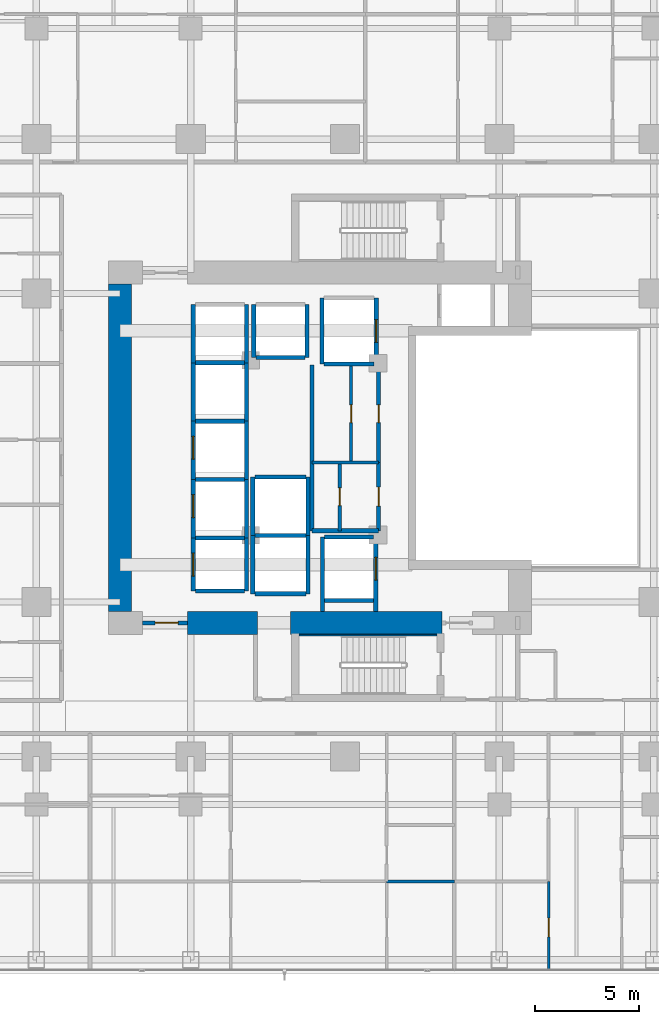
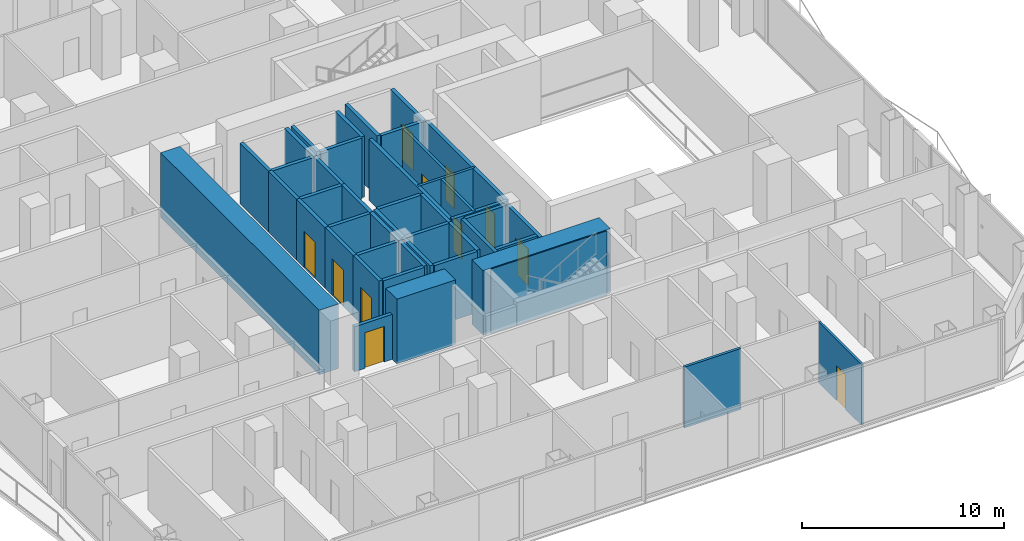
# One storey, part 21 of 30: 46 walls, 11 doors, 11 openings.
"""IFC4 building model written with IfcOpenShell, lengths in metres."""

from ifc_helpers import new_model, si_unit, direction, frame, frame_2d, origin, place, context, subcontext, project, spatial, rectangle, extrude, material, layer, layer_set, type_object, element, fill, save


model = new_model("IFC4")

# Units and contexts
model_context = context("Model", 3, precision=1e-05, world=origin(), true_north=direction((0.0, 1.0)))
body_context = subcontext(model_context, "Body", "Model", "MODEL_VIEW")
ifc_project = project(units=[si_unit("LENGTHUNIT", "METRE"), si_unit("AREAUNIT", "SQUARE_METRE"), si_unit("VOLUMEUNIT", "CUBIC_METRE"), si_unit("PLANEANGLEUNIT", "RADIAN"), si_unit("MASSUNIT", "GRAM", prefix="KILO")], contexts=[model_context])

# Site, building, storey
site_placement = place(None, origin())
site = spatial("IfcSite", under=ifc_project, at=site_placement, CompositionType="ELEMENT")
building_placement = place(site_placement, origin())
building = spatial("IfcBuilding", under=site, at=building_placement, Name="Khorvyn Point Tower", CompositionType="ELEMENT")
storey_placement = place(building_placement, frame((0.0, 0.0, 57.89990234375)))
storey = spatial("IfcBuildingStorey", under=building, at=storey_placement, Name="L15", CompositionType="ELEMENT", Elevation=57.89990234375)

# Wall, opening, door
ifc_material_1 = material(Name="Concrete C40/50", Category="concrete")
ifc_layer_1 = layer(ifc_material_1, 0.199951171875)
ifc_layer_set_1 = layer_set([ifc_layer_1], Name="Concrete C40/50 Fire-Lobby Compartment Wall 200")
wall_type_1 = type_object("IfcWallType", Name="Concrete C40/50 Fire-Lobby Compartment Wall 200", PredefinedType="SOLIDWALL", material=ifc_layer_set_1)
wall_1_placement = place(storey_placement, frame((-9.699951171875, -8.39990234375, 0.0), z_axis=(0.0, 0.0, 1.0), x_axis=(1.0, 0.0, 0.0)))
wall_1 = element("IfcWall", 1, at=wall_1_placement, inside=storey, type_object=wall_type_1, Name="Wall", PredefinedType="SOLIDWALL", context=body_context, shape_type="SweptSolid", body=[
    extrude(rectangle(XDim=2.14990234375, YDim=0.199951171875, at=frame_2d((1.074951171875, 0.0))), origin(), (0.0, 0.0, 1.0), 2.72021484375),
])
opening_1_placement = place(wall_1_placement, frame((0.597900390625, 0.0, 0.0)))
opening_1 = element("IfcOpeningElement", 2, at=opening_1_placement, cuts=wall_1, Name="Opening ID-FL90", PredefinedType="OPENING", context=body_context, shape_type="SweptSolid", body=[
    extrude(rectangle(XDim=1.10009765625, YDim=2.14990234375, at=frame_2d((0.550048828125, 1.074951171875))), frame((0.0, 0.10986328125, 0.0), z_axis=(0.0, -1.0, 0.0), x_axis=(1.0, 0.0, 0.0)), (0.0, 0.0, 1.0), 0.219970703125),
])
ifc_material_2 = material(Name="Galvanised powder-coated steel", Category="steel")
door_type_1 = type_object("IfcDoorType", Name="Fire-Rated Steel Lobby and Stair Door 1100x2150", OperationType="NOTDEFINED", PredefinedType="DOOR", material=ifc_material_2)
door_1_placement = place(opening_1_placement, origin())
door_1 = element("IfcDoor", 3, at=door_1_placement, inside=storey, type_object=door_type_1, Name="Door", OperationType="SINGLE_SWING_LEFT", OverallHeight=2.14990234375, OverallWidth=1.10009765625, PredefinedType="DOOR", context=body_context, shape_type="SweptSolid", body=[
    extrude(rectangle(XDim=1.10009765625, YDim=2.14990234375, at=frame_2d((0.550048828125, 1.074951171875))), frame((0.0, 0.02490234375, 0.0), z_axis=(0.0, -1.0, 0.0), x_axis=(1.0, 0.0, 0.0)), (0.0, 0.0, 1.0), 0.050048828125),
])
fill(opening_1, door_1)

wall_2_placement = place(storey_placement, frame((1.610107421875, -3.97998046875, 0.0), z_axis=(0.0, 0.0, 1.0), x_axis=(0.0, 1.0, 0.0)))
wall_2 = element("IfcWall", 4, at=wall_2_placement, inside=storey, type_object=wall_type_1, Name="Wall", PredefinedType="SOLIDWALL", context=body_context, shape_type="SweptSolid", body=[
    extrude(rectangle(XDim=3.27392578125, YDim=0.199951171875, at=frame_2d((1.636962890625, 0.0))), origin(), (0.0, 0.0, 1.0), 3.68017578125),
])
opening_2_placement = place(wall_2_placement, frame((1.177001953125, 0.0, 0.0)))
opening_2 = element("IfcOpeningElement", 5, at=opening_2_placement, cuts=wall_2, Name="Opening ID-RS60", PredefinedType="OPENING", context=body_context, shape_type="SweptSolid", body=[
    extrude(rectangle(XDim=0.919921875, YDim=2.10009765625, at=frame_2d((0.4599609375, 1.050048828125))), frame((0.0, 0.10986328125, 0.0), z_axis=(0.0, -1.0, 0.0), x_axis=(1.0, 0.0, 0.0)), (0.0, 0.0, 1.0), 0.219970703125),
])
door_type_2 = type_object("IfcDoorType", Name="Fire-Rated Riser and Store Steel Door 920x2100", OperationType="NOTDEFINED", PredefinedType="DOOR", material=ifc_material_2)
door_2_placement = place(opening_2_placement, origin())
door_2 = element("IfcDoor", 6, at=door_2_placement, inside=storey, type_object=door_type_2, Name="Door", OperationType="SINGLE_SWING_RIGHT", OverallHeight=2.10009765625, OverallWidth=0.919921875, PredefinedType="DOOR", context=body_context, shape_type="SweptSolid", body=[
    extrude(rectangle(XDim=0.919921875, YDim=2.10009765625, at=frame_2d((0.4599609375, 1.050048828125))), frame((0.0, 0.02490234375, 0.0), z_axis=(0.0, -1.0, 0.0), x_axis=(1.0, 0.0, 0.0)), (0.0, 0.0, 1.0), 0.050048828125),
])
fill(opening_2, door_2)

wall_3_placement = place(storey_placement, frame((1.610107421875, -0.7060546875, 0.0), z_axis=(0.0, 0.0, 1.0), x_axis=(0.0, 1.0, 0.0)))
wall_3 = element("IfcWall", 7, at=wall_3_placement, inside=storey, type_object=wall_type_1, Name="Wall", PredefinedType="SOLIDWALL", context=body_context, shape_type="SweptSolid", body=[
    extrude(rectangle(XDim=4.68603515625, YDim=0.199951171875, at=frame_2d((2.343017578125, 0.0))), origin(), (0.0, 0.0, 1.0), 3.68017578125),
])
opening_3_placement = place(wall_3_placement, frame((1.91796875, 0.0, 0.0)))
opening_3 = element("IfcOpeningElement", 8, at=opening_3_placement, cuts=wall_3, Name="Opening ID-WC85", PredefinedType="OPENING", context=body_context, shape_type="SweptSolid", body=[
    extrude(rectangle(XDim=0.85009765625, YDim=2.10009765625, at=frame_2d((0.425048828125, 1.050048828125))), frame((0.0, 0.10986328125, 0.0), z_axis=(0.0, -1.0, 0.0), x_axis=(1.0, 0.0, 0.0)), (0.0, 0.0, 1.0), 0.219970703125),
])
ifc_material_3 = material(Name="High-pressure laminate on moisture-resistant core", Category="wood")
door_type_3 = type_object("IfcDoorType", Name="Moisture-Resistant Accessible Washroom Door 850x2100", OperationType="NOTDEFINED", PredefinedType="DOOR", material=ifc_material_3)
door_3_placement = place(opening_3_placement, origin())
door_3 = element("IfcDoor", 9, at=door_3_placement, inside=storey, type_object=door_type_3, Name="Door", OperationType="SINGLE_SWING_LEFT", OverallHeight=2.10009765625, OverallWidth=0.85009765625, PredefinedType="DOOR", context=body_context, shape_type="SweptSolid", body=[
    extrude(rectangle(XDim=0.85009765625, YDim=2.10009765625, at=frame_2d((0.425048828125, 1.050048828125))), frame((0.0, 0.02490234375, 0.0), z_axis=(0.0, -1.0, 0.0), x_axis=(1.0, 0.0, 0.0)), (0.0, 0.0, 1.0), 0.050048828125),
])
fill(opening_3, door_3)

# Walls
wall_4_placement = place(storey_placement, frame((-1.580078125, -3.97998046875, 0.0), z_axis=(0.0, 0.0, 1.0), x_axis=(0.0, 1.0, 0.0)))
element("IfcWall", 10, at=wall_4_placement, inside=storey, type_object=wall_type_1, Name="Wall", PredefinedType="SOLIDWALL", context=body_context, shape_type="SweptSolid", body=[
    extrude(rectangle(XDim=7.9599609375, YDim=0.199951171875, at=frame_2d((3.97998046875, 0.0))), origin(), (0.0, 0.0, 1.0), 3.68017578125),
])
wall_5_placement = place(storey_placement, frame((-1.580078125, -3.97998046875, 0.0), z_axis=(0.0, 0.0, 1.0), x_axis=(1.0, 0.0, 0.0)))
element("IfcWall", 11, at=wall_5_placement, inside=storey, type_object=wall_type_1, Name="Wall", PredefinedType="SOLIDWALL", context=body_context, shape_type="SweptSolid", body=[
    extrude(rectangle(XDim=3.190185546875, YDim=0.199951171875, at=frame_2d((1.59521484375, 0.0))), origin(), (0.0, 0.0, 1.0), 3.68017578125),
])
ifc_layer_2 = layer(ifc_material_1, 0.25)
ifc_layer_set_2 = layer_set([ifc_layer_2], Name="Concrete C40/50 Stair Inner Cheek Structural Wall 250")
wall_type_2 = type_object("IfcWallType", Name="Concrete C40/50 Stair Inner Cheek Structural Wall 250", PredefinedType="SHEAR", material=ifc_layer_set_2)
wall_6_placement = place(storey_placement, frame((-2.199951171875, -8.987548828125, 0.0), z_axis=(0.0, 0.0, 1.0), x_axis=(1.0, 0.0, 0.0)))
element("IfcWall", 12, at=wall_6_placement, inside=storey, type_object=wall_type_2, Name="Wall", PredefinedType="SHEAR", context=body_context, shape_type="SweptSolid", body=[
    extrude(rectangle(XDim=6.599853515625, YDim=0.074951171875, at=frame_2d((3.2998046875, 0.0))), origin(), (0.0, 0.0, 1.0), 3.900146484375),
])

# Wall, opening, door
ifc_layer_3 = layer(ifc_material_1, 0.199951171875)
ifc_layer_set_3 = layer_set([ifc_layer_3], Name="Concrete C40/50 Structural Hoistway and Stair Shaft Wall 200")
wall_type_3 = type_object("IfcWallType", Name="Concrete C40/50 Structural Hoistway and Stair Shaft Wall 200", PredefinedType="SHEAR", material=ifc_layer_set_3)
wall_7_placement = place(storey_placement, frame((-7.27490234375, -6.875, 0.0), z_axis=(0.0, 0.0, 1.0), x_axis=(0.0, 1.0, 0.0)))
wall_7 = element("IfcWall", 13, at=wall_7_placement, inside=storey, type_object=wall_type_3, Name="Wall", PredefinedType="SHEAR", context=body_context, shape_type="SweptSolid", body=[
    extrude(rectangle(XDim=2.550048828125, YDim=0.199951171875, at=frame_2d((1.27490234375, 0.0))), origin(), (0.0, 0.0, 1.0), 3.68017578125),
])
opening_4_placement = place(wall_7_placement, frame((0.72509765625, 0.0, 0.0)))
opening_4 = element("IfcOpeningElement", 14, at=opening_4_placement, cuts=wall_7, Name="Opening LD-1122", PredefinedType="OPENING", context=body_context, shape_type="SweptSolid", body=[
    extrude(rectangle(XDim=1.10009765625, YDim=2.199951171875, at=frame_2d((0.550048828125, 1.10009765625))), frame((0.0, 0.10986328125, 0.0), z_axis=(0.0, -1.0, 0.0), x_axis=(1.0, 0.0, 0.0)), (0.0, 0.0, 1.0), 0.219970703125),
])
ifc_material_4 = material(Name="Stainless steel 1.4301", Category="steel")
door_type_4 = type_object("IfcDoorType", Name="Stainless Steel Automatic Sliding Lift Landing Door 1100x2200", OperationType="SLIDING_TO_LEFT", PredefinedType="DOOR", material=ifc_material_4)
door_4_placement = place(opening_4_placement, origin())
door_4 = element("IfcDoor", 15, at=door_4_placement, inside=storey, type_object=door_type_4, Name="L15 RL-01 Sliding Lift Landing Door", OperationType="SLIDING_TO_LEFT", OverallHeight=2.199951171875, OverallWidth=1.10009765625, PredefinedType="DOOR", context=body_context, shape_type="SweptSolid", body=[
    extrude(rectangle(XDim=1.10009765625, YDim=2.199951171875, at=frame_2d((0.550048828125, 1.10009765625))), frame((0.0, 0.02490234375, 0.0), z_axis=(0.0, -1.0, 0.0), x_axis=(1.0, 0.0, 0.0)), (0.0, 0.0, 1.0), 0.050048828125),
])
fill(opening_4, door_4)

# Walls
wall_8_placement = place(storey_placement, frame((-4.72509765625, -6.875, 0.0), z_axis=(0.0, 0.0, 1.0), x_axis=(0.0, 1.0, 0.0)))
element("IfcWall", 16, at=wall_8_placement, inside=storey, type_object=wall_type_3, Name="Wall", PredefinedType="SHEAR", context=body_context, shape_type="SweptSolid", body=[
    extrude(rectangle(XDim=2.550048828125, YDim=0.199951171875, at=frame_2d((1.27490234375, 0.0))), origin(), (0.0, 0.0, 1.0), 3.68017578125),
])
for number, where, z_axis, x_axis, name in (
    (17, (-7.175048828125, -6.875, 0.0), (0.0, 0.0, 1.0), (1.0, 0.0, 0.0), "Wall"),
    (18, (-7.175048828125, -4.324951171875, 0.0), (0.0, 0.0, 1.0), (1.0, 0.0, 0.0), "Wall"),
):
    element("IfcWall", number, at=place(storey_placement, frame(where, z_axis=z_axis, x_axis=x_axis)), inside=storey, type_object=wall_type_3, Name=name, PredefinedType="SHEAR", context=body_context, shape_type="SweptSolid", body=[
        extrude(rectangle(XDim=2.35009765625, YDim=0.199951171875, at=frame_2d((1.175048828125, 0.0))), origin(), (0.0, 0.0, 1.0), 3.68017578125),
    ])

# Wall, opening, door
wall_9_placement = place(storey_placement, frame((-7.27490234375, -4.324951171875, 0.0), z_axis=(0.0, 0.0, 1.0), x_axis=(0.0, 1.0, 0.0)))
wall_9 = element("IfcWall", 19, at=wall_9_placement, inside=storey, type_object=wall_type_3, Name="Wall", PredefinedType="SHEAR", context=body_context, shape_type="SweptSolid", body=[
    extrude(rectangle(XDim=2.800048828125, YDim=0.199951171875, at=frame_2d((1.39990234375, 0.0))), origin(), (0.0, 0.0, 1.0), 3.68017578125),
])
opening_5_placement = place(wall_9_placement, frame((0.97509765625, 0.0, 0.0)))
opening_5 = element("IfcOpeningElement", 20, at=opening_5_placement, cuts=wall_9, Name="Opening LD-1122", PredefinedType="OPENING", context=body_context, shape_type="SweptSolid", body=[
    extrude(rectangle(XDim=1.10009765625, YDim=2.199951171875, at=frame_2d((0.550048828125, 1.10009765625))), frame((0.0, 0.10986328125, 0.0), z_axis=(0.0, -1.0, 0.0), x_axis=(1.0, 0.0, 0.0)), (0.0, 0.0, 1.0), 0.219970703125),
])
door_5_placement = place(opening_5_placement, origin())
door_5 = element("IfcDoor", 21, at=door_5_placement, inside=storey, type_object=door_type_4, Name="L15 RL-02 Sliding Lift Landing Door", OperationType="SLIDING_TO_LEFT", OverallHeight=2.199951171875, OverallWidth=1.10009765625, PredefinedType="DOOR", context=body_context, shape_type="SweptSolid", body=[
    extrude(rectangle(XDim=1.10009765625, YDim=2.199951171875, at=frame_2d((0.550048828125, 1.10009765625))), frame((0.0, 0.02490234375, 0.0), z_axis=(0.0, -1.0, 0.0), x_axis=(1.0, 0.0, 0.0)), (0.0, 0.0, 1.0), 0.050048828125),
])
fill(opening_5, door_5)

# Walls
wall_10_placement = place(storey_placement, frame((-4.72509765625, -4.324951171875, 0.0), z_axis=(0.0, 0.0, 1.0), x_axis=(0.0, 1.0, 0.0)))
element("IfcWall", 22, at=wall_10_placement, inside=storey, type_object=wall_type_3, Name="Wall", PredefinedType="SHEAR", context=body_context, shape_type="SweptSolid", body=[
    extrude(rectangle(XDim=2.800048828125, YDim=0.199951171875, at=frame_2d((1.39990234375, 0.0))), origin(), (0.0, 0.0, 1.0), 3.68017578125),
])
wall_11_placement = place(storey_placement, frame((-7.175048828125, -1.52490234375, 0.0), z_axis=(0.0, 0.0, 1.0), x_axis=(1.0, 0.0, 0.0)))
element("IfcWall", 23, at=wall_11_placement, inside=storey, type_object=wall_type_3, Name="Wall", PredefinedType="SHEAR", context=body_context, shape_type="SweptSolid", body=[
    extrude(rectangle(XDim=2.35009765625, YDim=0.199951171875, at=frame_2d((1.175048828125, 0.0))), origin(), (0.0, 0.0, 1.0), 3.68017578125),
])

# Wall, opening, door
wall_12_placement = place(storey_placement, frame((-7.27490234375, -1.52490234375, 0.0), z_axis=(0.0, 0.0, 1.0), x_axis=(0.0, 1.0, 0.0)))
wall_12 = element("IfcWall", 24, at=wall_12_placement, inside=storey, type_object=wall_type_3, Name="Wall", PredefinedType="SHEAR", context=body_context, shape_type="SweptSolid", body=[
    extrude(rectangle(XDim=2.7998046875, YDim=0.199951171875, at=frame_2d((1.39990234375, 0.0))), origin(), (0.0, 0.0, 1.0), 3.68017578125),
])
opening_6_placement = place(wall_12_placement, frame((0.97509765625, 0.0, 0.0)))
opening_6 = element("IfcOpeningElement", 25, at=opening_6_placement, cuts=wall_12, Name="Opening LD-1122", PredefinedType="OPENING", context=body_context, shape_type="SweptSolid", body=[
    extrude(rectangle(XDim=1.10009765625, YDim=2.199951171875, at=frame_2d((0.550048828125, 1.10009765625))), frame((0.0, 0.10986328125, 0.0), z_axis=(0.0, -1.0, 0.0), x_axis=(1.0, 0.0, 0.0)), (0.0, 0.0, 1.0), 0.219970703125),
])
door_6_placement = place(opening_6_placement, origin())
door_6 = element("IfcDoor", 26, at=door_6_placement, inside=storey, type_object=door_type_4, Name="L15 RL-03 Sliding Lift Landing Door", OperationType="SLIDING_TO_LEFT", OverallHeight=2.199951171875, OverallWidth=1.10009765625, PredefinedType="DOOR", context=body_context, shape_type="SweptSolid", body=[
    extrude(rectangle(XDim=1.10009765625, YDim=2.199951171875, at=frame_2d((0.550048828125, 1.10009765625))), frame((0.0, 0.02490234375, 0.0), z_axis=(0.0, -1.0, 0.0), x_axis=(1.0, 0.0, 0.0)), (0.0, 0.0, 1.0), 0.050048828125),
])
fill(opening_6, door_6)

# Walls
wall_13_placement = place(storey_placement, frame((-4.72509765625, -1.52490234375, 0.0), z_axis=(0.0, 0.0, 1.0), x_axis=(0.0, 1.0, 0.0)))
element("IfcWall", 27, at=wall_13_placement, inside=storey, type_object=wall_type_3, Name="Wall", PredefinedType="SHEAR", context=body_context, shape_type="SweptSolid", body=[
    extrude(rectangle(XDim=2.7998046875, YDim=0.199951171875, at=frame_2d((1.39990234375, 0.0))), origin(), (0.0, 0.0, 1.0), 3.68017578125),
])
wall_14_placement = place(storey_placement, frame((-7.175048828125, 1.27490234375, 0.0), z_axis=(0.0, 0.0, 1.0), x_axis=(1.0, 0.0, 0.0)))
element("IfcWall", 28, at=wall_14_placement, inside=storey, type_object=wall_type_3, Name="Wall", PredefinedType="SHEAR", context=body_context, shape_type="SweptSolid", body=[
    extrude(rectangle(XDim=2.35009765625, YDim=0.199951171875, at=frame_2d((1.175048828125, 0.0))), origin(), (0.0, 0.0, 1.0), 3.68017578125),
])
for number, where, z_axis, x_axis, name in (
    (29, (-7.27490234375, 1.27490234375, 0.0), (0.0, 0.0, 1.0), (0.0, 1.0, 0.0), "Wall"),
    (30, (-4.72509765625, 1.27490234375, 0.0), (0.0, 0.0, 1.0), (0.0, 1.0, 0.0), "Wall"),
):
    element("IfcWall", number, at=place(storey_placement, frame(where, z_axis=z_axis, x_axis=x_axis)), inside=storey, type_object=wall_type_3, Name=name, PredefinedType="SHEAR", context=body_context, shape_type="SweptSolid", body=[
        extrude(rectangle(XDim=2.800048828125, YDim=0.199951171875, at=frame_2d((1.39990234375, 0.0))), origin(), (0.0, 0.0, 1.0), 3.68017578125),
    ])
wall_15_placement = place(storey_placement, frame((-7.175048828125, 4.074951171875, 0.0), z_axis=(0.0, 0.0, 1.0), x_axis=(1.0, 0.0, 0.0)))
element("IfcWall", 31, at=wall_15_placement, inside=storey, type_object=wall_type_3, Name="Wall", PredefinedType="SHEAR", context=body_context, shape_type="SweptSolid", body=[
    extrude(rectangle(XDim=2.35009765625, YDim=0.199951171875, at=frame_2d((1.175048828125, 0.0))), origin(), (0.0, 0.0, 1.0), 3.68017578125),
])
for number, where, z_axis, x_axis, name in (
    (32, (-7.27490234375, 4.074951171875, 0.0), (0.0, 0.0, 1.0), (0.0, 1.0, 0.0), "Wall"),
    (33, (-4.72509765625, 4.074951171875, 0.0), (0.0, 0.0, 1.0), (0.0, 1.0, 0.0), "Wall"),
):
    element("IfcWall", number, at=place(storey_placement, frame(where, z_axis=z_axis, x_axis=x_axis)), inside=storey, type_object=wall_type_3, Name=name, PredefinedType="SHEAR", context=body_context, shape_type="SweptSolid", body=[
        extrude(rectangle(XDim=2.800048828125, YDim=0.199951171875, at=frame_2d((1.39990234375, 0.0))), origin(), (0.0, 0.0, 1.0), 3.68017578125),
    ])
for number, where, z_axis, x_axis, name in (
    (34, (-4.375, 4.324951171875, 0.0), (0.0, 0.0, 1.0), (0.0, 1.0, 0.0), "Wall"),
    (35, (-1.824951171875, 4.324951171875, 0.0), (0.0, 0.0, 1.0), (0.0, 1.0, 0.0), "Wall"),
):
    element("IfcWall", number, at=place(storey_placement, frame(where, z_axis=z_axis, x_axis=x_axis)), inside=storey, type_object=wall_type_3, Name=name, PredefinedType="SHEAR", context=body_context, shape_type="SweptSolid", body=[
        extrude(rectangle(XDim=2.550048828125, YDim=0.199951171875, at=frame_2d((1.27490234375, 0.0))), origin(), (0.0, 0.0, 1.0), 3.68017578125),
    ])
wall_16_placement = place(storey_placement, frame((-4.27490234375, 4.324951171875, 0.0), z_axis=(0.0, 0.0, 1.0), x_axis=(1.0, 0.0, 0.0)))
element("IfcWall", 36, at=wall_16_placement, inside=storey, type_object=wall_type_3, Name="Wall", PredefinedType="SHEAR", context=body_context, shape_type="SweptSolid", body=[
    extrude(rectangle(XDim=2.349853515625, YDim=0.199951171875, at=frame_2d((1.1748046875, 0.0))), origin(), (0.0, 0.0, 1.0), 3.68017578125),
])
for number, where, z_axis, x_axis, name in (
    (37, (-4.425048828125, -7.0, 0.0), (0.0, 0.0, 1.0), (0.0, 1.0, 0.0), "Wall"),
    (38, (-1.77490234375, -7.0, 0.0), (0.0, 0.0, 1.0), (0.0, 1.0, 0.0), "Wall"),
):
    element("IfcWall", number, at=place(storey_placement, frame(where, z_axis=z_axis, x_axis=x_axis)), inside=storey, type_object=wall_type_3, Name=name, PredefinedType="SHEAR", context=body_context, shape_type="SweptSolid", body=[
        extrude(rectangle(XDim=2.800048828125, YDim=0.199951171875, at=frame_2d((1.39990234375, 0.0))), origin(), (0.0, 0.0, 1.0), 3.68017578125),
    ])
for number, where, z_axis, x_axis, name in (
    (39, (-4.324951171875, -7.0, 0.0), (0.0, 0.0, 1.0), (1.0, 0.0, 0.0), "Wall"),
    (40, (-4.324951171875, -4.199951171875, 0.0), (0.0, 0.0, 1.0), (1.0, 0.0, 0.0), "Wall"),
):
    element("IfcWall", number, at=place(storey_placement, frame(where, z_axis=z_axis, x_axis=x_axis)), inside=storey, type_object=wall_type_3, Name=name, PredefinedType="SHEAR", context=body_context, shape_type="SweptSolid", body=[
        extrude(rectangle(XDim=2.449951171875, YDim=0.199951171875, at=frame_2d((1.22509765625, 0.0))), origin(), (0.0, 0.0, 1.0), 3.68017578125),
    ])
for number, where, z_axis, x_axis, name in (
    (41, (-4.425048828125, -4.199951171875, 0.0), (0.0, 0.0, 1.0), (0.0, 1.0, 0.0), "Wall"),
    (42, (-1.77490234375, -4.199951171875, 0.0), (0.0, 0.0, 1.0), (0.0, 1.0, 0.0), "Wall"),
):
    element("IfcWall", number, at=place(storey_placement, frame(where, z_axis=z_axis, x_axis=x_axis)), inside=storey, type_object=wall_type_3, Name=name, PredefinedType="SHEAR", context=body_context, shape_type="SweptSolid", body=[
        extrude(rectangle(XDim=2.800048828125, YDim=0.199951171875, at=frame_2d((1.39990234375, 0.0))), origin(), (0.0, 0.0, 1.0), 3.68017578125),
    ])
wall_17_placement = place(storey_placement, frame((-4.324951171875, -1.39990234375, 0.0), z_axis=(0.0, 0.0, 1.0), x_axis=(1.0, 0.0, 0.0)))
element("IfcWall", 43, at=wall_17_placement, inside=storey, type_object=wall_type_3, Name="Wall", PredefinedType="SHEAR", context=body_context, shape_type="SweptSolid", body=[
    extrude(rectangle(XDim=2.449951171875, YDim=0.199951171875, at=frame_2d((1.22509765625, 0.0))), origin(), (0.0, 0.0, 1.0), 3.68017578125),
])
wall_18_placement = place(storey_placement, frame((-1.10009765625, 4.02490234375, 0.0), z_axis=(0.0, 0.0, 1.0), x_axis=(0.0, 1.0, 0.0)))
element("IfcWall", 44, at=wall_18_placement, inside=storey, type_object=wall_type_3, Name="Wall", PredefinedType="SHEAR", context=body_context, shape_type="SweptSolid", body=[
    extrude(rectangle(XDim=3.150146484375, YDim=0.199951171875, at=frame_2d((1.5751953125, 0.0))), origin(), (0.0, 0.0, 1.0), 3.68017578125),
])

# Wall, opening, door
wall_19_placement = place(storey_placement, frame((1.5, 4.02490234375, 0.0), z_axis=(0.0, 0.0, 1.0), x_axis=(0.0, 1.0, 0.0)))
wall_19 = element("IfcWall", 45, at=wall_19_placement, inside=storey, type_object=wall_type_3, Name="Wall", PredefinedType="SHEAR", context=body_context, shape_type="SweptSolid", body=[
    extrude(rectangle(XDim=3.150146484375, YDim=0.199951171875, at=frame_2d((1.5751953125, 0.0))), origin(), (0.0, 0.0, 1.0), 3.68017578125),
])
opening_7_placement = place(wall_19_placement, frame((1.02490234375, 0.0, 0.0)))
opening_7 = element("IfcOpeningElement", 46, at=opening_7_placement, cuts=wall_19, Name="Opening LD-1122", PredefinedType="OPENING", context=body_context, shape_type="SweptSolid", body=[
    extrude(rectangle(XDim=1.10009765625, YDim=2.199951171875, at=frame_2d((0.550048828125, 1.10009765625))), frame((0.0, 0.10986328125, 0.0), z_axis=(0.0, -1.0, 0.0), x_axis=(1.0, 0.0, 0.0)), (0.0, 0.0, 1.0), 0.219970703125),
])
door_7_placement = place(opening_7_placement, origin())
door_7 = element("IfcDoor", 47, at=door_7_placement, inside=storey, type_object=door_type_4, Name="L15 SV-01 Sliding Lift Landing Door", OperationType="SLIDING_TO_LEFT", OverallHeight=2.199951171875, OverallWidth=1.10009765625, PredefinedType="DOOR", context=body_context, shape_type="SweptSolid", body=[
    extrude(rectangle(XDim=1.10009765625, YDim=2.199951171875, at=frame_2d((0.550048828125, 1.10009765625))), frame((0.0, 0.02490234375, 0.0), z_axis=(0.0, -1.0, 0.0), x_axis=(1.0, 0.0, 0.0)), (0.0, 0.0, 1.0), 0.050048828125),
])
fill(opening_7, door_7)

# Walls
wall_20_placement = place(storey_placement, frame((-1.0, 4.02490234375, 0.0), z_axis=(0.0, 0.0, 1.0), x_axis=(1.0, 0.0, 0.0)))
element("IfcWall", 48, at=wall_20_placement, inside=storey, type_object=wall_type_3, Name="Wall", PredefinedType="SHEAR", context=body_context, shape_type="SweptSolid", body=[
    extrude(rectangle(XDim=2.39990234375, YDim=0.199951171875, at=frame_2d((1.199951171875, 0.0))), origin(), (0.0, 0.0, 1.0), 3.68017578125),
])
wall_21_placement = place(storey_placement, frame((-1.074951171875, -7.85009765625, 0.0), z_axis=(0.0, 0.0, 1.0), x_axis=(0.0, 1.0, 0.0)))
element("IfcWall", 49, at=wall_21_placement, inside=storey, type_object=wall_type_3, Name="Wall", PredefinedType="SHEAR", context=body_context, shape_type="SweptSolid", body=[
    extrude(rectangle(XDim=3.5751953125, YDim=0.199951171875, at=frame_2d((1.78759765625, 0.0))), origin(), (0.0, 0.0, 1.0), 3.68017578125),
])

# Wall, opening, door
wall_22_placement = place(storey_placement, frame((1.47509765625, -7.85009765625, 0.0), z_axis=(0.0, 0.0, 1.0), x_axis=(0.0, 1.0, 0.0)))
wall_22 = element("IfcWall", 50, at=wall_22_placement, inside=storey, type_object=wall_type_3, Name="Wall", PredefinedType="SHEAR", context=body_context, shape_type="SweptSolid", body=[
    extrude(rectangle(XDim=3.5751953125, YDim=0.199951171875, at=frame_2d((1.78759765625, 0.0))), origin(), (0.0, 0.0, 1.0), 3.68017578125),
])
opening_8_placement = place(wall_22_placement, frame((1.5, 0.0, 0.0)))
opening_8 = element("IfcOpeningElement", 51, at=opening_8_placement, cuts=wall_22, Name="Opening LD-1122", PredefinedType="OPENING", context=body_context, shape_type="SweptSolid", body=[
    extrude(rectangle(XDim=1.10009765625, YDim=2.199951171875, at=frame_2d((0.550048828125, 1.10009765625))), frame((0.0, 0.10986328125, 0.0), z_axis=(0.0, -1.0, 0.0), x_axis=(1.0, 0.0, 0.0)), (0.0, 0.0, 1.0), 0.219970703125),
])
door_8_placement = place(opening_8_placement, origin())
door_8 = element("IfcDoor", 52, at=door_8_placement, inside=storey, type_object=door_type_4, Name="L15 FF-01 Sliding Lift Landing Door", OperationType="SLIDING_TO_LEFT", OverallHeight=2.199951171875, OverallWidth=1.10009765625, PredefinedType="DOOR", context=body_context, shape_type="SweptSolid", body=[
    extrude(rectangle(XDim=1.10009765625, YDim=2.199951171875, at=frame_2d((0.550048828125, 1.10009765625))), frame((0.0, 0.02490234375, 0.0), z_axis=(0.0, -1.0, 0.0), x_axis=(1.0, 0.0, 0.0)), (0.0, 0.0, 1.0), 0.050048828125),
])
fill(opening_8, door_8)

# Walls
for number, where, z_axis, x_axis, name in (
    (53, (-0.97509765625, -7.324951171875, 0.0), (0.0, 0.0, 1.0), (1.0, 0.0, 0.0), "Wall"),
    (54, (-0.97509765625, -4.27490234375, 0.0), (0.0, 0.0, 1.0), (1.0, 0.0, 0.0), "Wall"),
):
    element("IfcWall", number, at=place(storey_placement, frame(where, z_axis=z_axis, x_axis=x_axis)), inside=storey, type_object=wall_type_3, Name=name, PredefinedType="SHEAR", context=body_context, shape_type="SweptSolid", body=[
        extrude(rectangle(XDim=2.35009765625, YDim=0.199951171875, at=frame_2d((1.175048828125, 0.0))), origin(), (0.0, 0.0, 1.0), 3.68017578125),
    ])
ifc_material_5 = material(Name="Concrete C50/60", Category="concrete")
ifc_layer_4 = layer(ifc_material_5, 1.10009765625)
ifc_layer_set_4 = layer_set([ifc_layer_4], Name="Concrete C50/60 Core Shear Wall 1100")
wall_type_4 = type_object("IfcWallType", Name="Concrete C50/60 Core Shear Wall 1100", PredefinedType="SHEAR", material=ifc_layer_set_4)
wall_23_placement = place(storey_placement, frame((-7.550048828125, -8.39990234375, 0.0), z_axis=(0.0, 0.0, 1.0), x_axis=(1.0, 0.0, 0.0)))
element("IfcWall", 55, at=wall_23_placement, inside=storey, type_object=wall_type_4, Name="Wall", PredefinedType="SHEAR", context=body_context, shape_type="SweptSolid", body=[
    extrude(rectangle(XDim=3.35009765625, YDim=1.10009765625, at=frame_2d((1.675048828125, 0.0))), origin(), (0.0, 0.0, 1.0), 3.900146484375),
])
wall_24_placement = place(storey_placement, frame((-2.6201171875, -8.39990234375, 0.0), z_axis=(0.0, 0.0, 1.0), x_axis=(1.0, 0.0, 0.0)))
element("IfcWall", 56, at=wall_24_placement, inside=storey, type_object=wall_type_4, Name="Wall", PredefinedType="SHEAR", context=body_context, shape_type="SweptSolid", body=[
    extrude(rectangle(XDim=7.27001953125, YDim=1.10009765625, at=frame_2d((3.635009765625, 0.0))), origin(), (0.0, 0.0, 1.0), 3.900146484375),
])
wall_25_placement = place(storey_placement, frame((-10.800048828125, -7.85009765625, 0.0), z_axis=(0.0, 0.0, 1.0), x_axis=(0.0, 1.0, 0.0)))
element("IfcWall", 57, at=wall_25_placement, inside=storey, type_object=wall_type_4, Name="Wall", PredefinedType="SHEAR", context=body_context, shape_type="SweptSolid", body=[
    extrude(rectangle(XDim=15.7001953125, YDim=1.10009765625, at=frame_2d((7.85009765625, 0.0))), origin(), (0.0, 0.0, 1.0), 3.900146484375),
])

# Wall, opening, door
ifc_material_6 = material(Name="Gypsum plasterboard on steel stud", Category="steel")
ifc_layer_5 = layer(ifc_material_6, 0.1201171875)
ifc_layer_set_5 = layer_set([ifc_layer_5], Name="Gypsum Acoustic Stud Room Partition Wall 120")
wall_type_5 = type_object("IfcWallType", Name="Gypsum Acoustic Stud Room Partition Wall 120", PredefinedType="PARTITIONING", material=ifc_layer_set_5)
wall_26_placement = place(storey_placement, frame((9.763916015625, -25.030029296875, 0.0), z_axis=(0.0, 0.0, 1.0), x_axis=(0.0, 1.0, 0.0)))
wall_26 = element("IfcWall", 58, at=wall_26_placement, inside=storey, type_object=wall_type_5, Name="Wall", PredefinedType="PARTITIONING", context=body_context, shape_type="SweptSolid", body=[
    extrude(rectangle(XDim=4.239990234375, YDim=0.1201171875, at=frame_2d((2.1201171875, 0.0))), origin(), (0.0, 0.0, 1.0), 3.68017578125),
])
opening_9_placement = place(wall_26_placement, frame((1.581298828125, 0.0, 0.0)))
opening_9 = element("IfcOpeningElement", 59, at=opening_9_placement, cuts=wall_26, Name="Opening ID-RM90", PredefinedType="OPENING", context=body_context, shape_type="SweptSolid", body=[
    extrude(rectangle(XDim=0.89990234375, YDim=2.10009765625, at=frame_2d((0.449951171875, 1.050048828125))), frame((0.0, 0.070068359375, 0.0), z_axis=(0.0, -1.0, 0.0), x_axis=(1.0, 0.0, 0.0)), (0.0, 0.0, 1.0), 0.14013671875),
])
ifc_material_7 = material(Name="Engineered oak veneer timber", Category="wood")
door_type_5 = type_object("IfcDoorType", Name="Flush Engineered Timber Room Door 900x2100", OperationType="NOTDEFINED", PredefinedType="DOOR", material=ifc_material_7)
door_9_placement = place(opening_9_placement, origin())
door_9 = element("IfcDoor", 60, at=door_9_placement, inside=storey, type_object=door_type_5, Name="Door", OperationType="SINGLE_SWING_LEFT", OverallHeight=2.10009765625, OverallWidth=0.89990234375, PredefinedType="DOOR", context=body_context, shape_type="SweptSolid", body=[
    extrude(rectangle(XDim=0.89990234375, YDim=2.10009765625, at=frame_2d((0.449951171875, 1.050048828125))), frame((0.0, 0.02490234375, 0.0), z_axis=(0.0, -1.0, 0.0), x_axis=(1.0, 0.0, 0.0)), (0.0, 0.0, 1.0), 0.050048828125),
])
fill(opening_9, door_9)

ifc_material_8 = material(Name="Moisture-resistant gypsum and cement board", Category="gypsum")
ifc_layer_6 = layer(ifc_material_8, 0.14990234375)
ifc_layer_set_6 = layer_set([ifc_layer_6], Name="Moisture-Resistant Wet-Room Partition Wall 150")
wall_type_6 = type_object("IfcWallType", Name="Moisture-Resistant Wet-Room Partition Wall 150", PredefinedType="PARTITIONING", material=ifc_layer_set_6)
wall_27_placement = place(storey_placement, frame((-0.25, -3.97998046875, 0.0), z_axis=(0.0, 0.0, 1.0), x_axis=(0.0, 1.0, 0.0)))
wall_27 = element("IfcWall", 61, at=wall_27_placement, inside=storey, type_object=wall_type_6, Name="Wall", PredefinedType="PARTITIONING", context=body_context, shape_type="SweptSolid", body=[
    extrude(rectangle(XDim=3.27392578125, YDim=0.14990234375, at=frame_2d((1.636962890625, 0.0))), origin(), (0.0, 0.0, 1.0), 3.68017578125),
])
opening_10_placement = place(wall_27_placement, frame((1.2119140625, 0.0, 0.0)))
opening_10 = element("IfcOpeningElement", 62, at=opening_10_placement, cuts=wall_27, Name="Opening ID-WC85", PredefinedType="OPENING", context=body_context, shape_type="SweptSolid", body=[
    extrude(rectangle(XDim=0.85009765625, YDim=2.10009765625, at=frame_2d((0.425048828125, 1.050048828125))), frame((0.0, 0.0849609375, 0.0), z_axis=(0.0, -1.0, 0.0), x_axis=(1.0, 0.0, 0.0)), (0.0, 0.0, 1.0), 0.169921875),
])
door_10_placement = place(opening_10_placement, origin())
door_10 = element("IfcDoor", 63, at=door_10_placement, inside=storey, type_object=door_type_3, Name="Door", OperationType="SINGLE_SWING_RIGHT", OverallHeight=2.10009765625, OverallWidth=0.85009765625, PredefinedType="DOOR", context=body_context, shape_type="SweptSolid", body=[
    extrude(rectangle(XDim=0.85009765625, YDim=2.10009765625, at=frame_2d((0.425048828125, 1.050048828125))), frame((0.0, 0.02490234375, 0.0), z_axis=(0.0, -1.0, 0.0), x_axis=(1.0, 0.0, 0.0)), (0.0, 0.0, 1.0), 0.050048828125),
])
fill(opening_10, door_10)

wall_28_placement = place(storey_placement, frame((0.2900390625, -0.7060546875, 0.0), z_axis=(0.0, 0.0, 1.0), x_axis=(0.0, 1.0, 0.0)))
wall_28 = element("IfcWall", 64, at=wall_28_placement, inside=storey, type_object=wall_type_6, Name="Wall", PredefinedType="PARTITIONING", context=body_context, shape_type="SweptSolid", body=[
    extrude(rectangle(XDim=4.68603515625, YDim=0.14990234375, at=frame_2d((2.343017578125, 0.0))), origin(), (0.0, 0.0, 1.0), 3.68017578125),
])
opening_11_placement = place(wall_28_placement, frame((1.91796875, 0.0, 0.0)))
opening_11 = element("IfcOpeningElement", 65, at=opening_11_placement, cuts=wall_28, Name="Opening ID-WC85", PredefinedType="OPENING", context=body_context, shape_type="SweptSolid", body=[
    extrude(rectangle(XDim=0.85009765625, YDim=2.10009765625, at=frame_2d((0.425048828125, 1.050048828125))), frame((0.0, 0.0849609375, 0.0), z_axis=(0.0, -1.0, 0.0), x_axis=(1.0, 0.0, 0.0)), (0.0, 0.0, 1.0), 0.169921875),
])
door_11_placement = place(opening_11_placement, origin())
door_11 = element("IfcDoor", 66, at=door_11_placement, inside=storey, type_object=door_type_3, Name="Door", OperationType="SINGLE_SWING_LEFT", OverallHeight=2.10009765625, OverallWidth=0.85009765625, PredefinedType="DOOR", context=body_context, shape_type="SweptSolid", body=[
    extrude(rectangle(XDim=0.85009765625, YDim=2.10009765625, at=frame_2d((0.425048828125, 1.050048828125))), frame((0.0, 0.02490234375, 0.0), z_axis=(0.0, -1.0, 0.0), x_axis=(1.0, 0.0, 0.0)), (0.0, 0.0, 1.0), 0.050048828125),
])
fill(opening_11, door_11)

# Walls
wall_29_placement = place(storey_placement, frame((-1.580078125, -0.7060546875, 0.0), z_axis=(0.0, 0.0, 1.0), x_axis=(1.0, 0.0, 0.0)))
element("IfcWall", 67, at=wall_29_placement, inside=storey, type_object=wall_type_6, Name="Wall", PredefinedType="PARTITIONING", context=body_context, shape_type="SweptSolid", body=[
    extrude(rectangle(XDim=3.190185546875, YDim=0.14990234375, at=frame_2d((1.59521484375, 0.0))), origin(), (0.0, 0.0, 1.0), 3.68017578125),
])
wall_30_placement = place(storey_placement, frame((1.993896484375, -20.7900390625, 0.0), z_axis=(0.0, 0.0, 1.0), x_axis=(1.0, 0.0, 0.0)))
element("IfcWall", 68, at=wall_30_placement, inside=storey, type_object=wall_type_6, Name="Wall", PredefinedType="PARTITIONING", context=body_context, shape_type="SweptSolid", body=[
    extrude(rectangle(XDim=3.248046875, YDim=0.14990234375, at=frame_2d((1.6240234375, 0.0))), origin(), (0.0, 0.0, 1.0), 3.68017578125),
])

save(model, "model.ifc")
